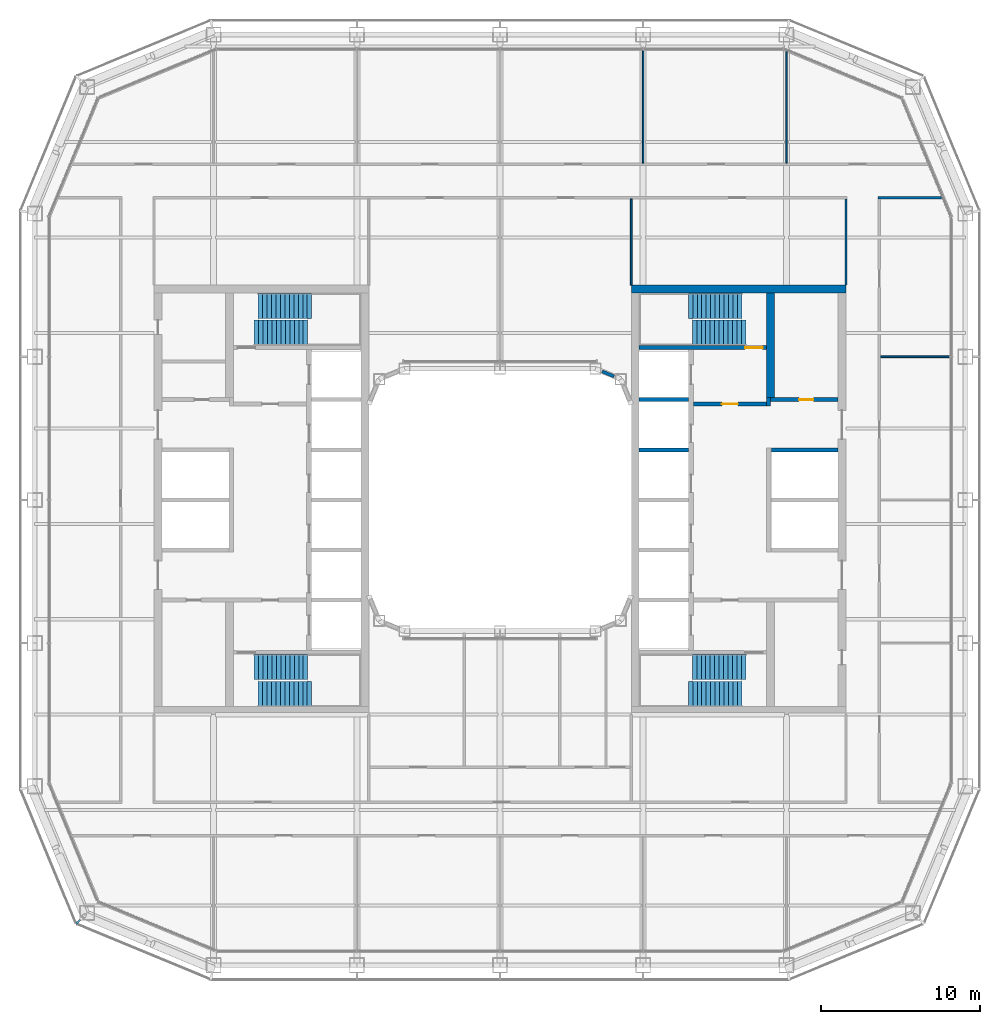
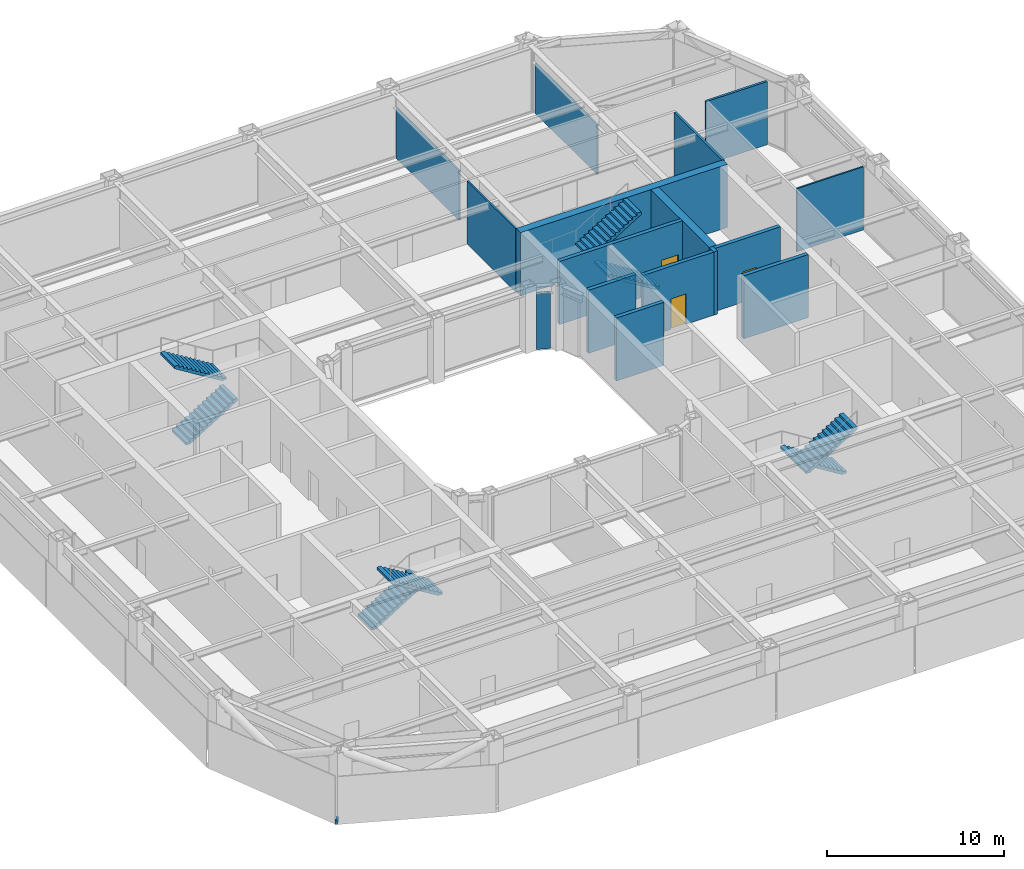
# One storey, part 14 of 21: 16 walls, 8 stair flights, 3 doors, 1 discrete accessory, 3 openings, 4 elements without a shape of their own.
"""IFC4 building model written with IfcOpenShell, lengths in metres."""

from ifc_helpers import new_model, si_unit, direction, frame, frame_2d, origin, origin_2d, place, context, subcontext, project, spatial, polyline, rectangle, outline, extrude, material, layer, layer_set, type_object, element, fill, aggregate, save


model = new_model("IFC4")

# Units and contexts
model_context = context("Model", 3, precision=1e-05, world=origin(), true_north=direction((0.0, 1.0)))
body_context = subcontext(model_context, "Body", "Model", "MODEL_VIEW")
ifc_project = project(units=[si_unit("LENGTHUNIT", "METRE"), si_unit("AREAUNIT", "SQUARE_METRE"), si_unit("VOLUMEUNIT", "CUBIC_METRE"), si_unit("PLANEANGLEUNIT", "RADIAN"), si_unit("MASSUNIT", "GRAM", prefix="KILO")], contexts=[model_context])

# Site, building, storey
site_placement = place(None, origin())
site = spatial("IfcSite", under=ifc_project, at=site_placement, CompositionType="ELEMENT")
building_placement = place(site_placement, origin())
building = spatial("IfcBuilding", under=site, at=building_placement, Name="Siwar Civic Tower", CompositionType="ELEMENT")
storey_placement = place(building_placement, frame((0.0, 0.0, 140.699951171875)))
storey = spatial("IfcBuildingStorey", under=building, at=storey_placement, Name="L30", CompositionType="ELEMENT", Elevation=140.699951171875)

# Wall, opening, door
ifc_material_1 = material(Name="Concrete C60/75", Category="concrete")
ifc_layer_1 = layer(ifc_material_1, 0.25)
ifc_layer_set_1 = layer_set([ifc_layer_1], Name="Concrete C60/75")
wall_type_1 = type_object("IfcWallType", Name="CORE-WALL-RC250", PredefinedType="SHEAR", material=ifc_layer_set_1)
wall_1_placement = place(storey_placement, frame((12.14990234375, 6.02490234375, 0.0), z_axis=(0.0, 0.0, 1.0), x_axis=(1.0, 0.0, 0.0)))
wall_1 = element("IfcWall", 1, at=wall_1_placement, inside=storey, type_object=wall_type_1, Name="Core wall E", PredefinedType="SHEAR", context=body_context, shape_type="SweptSolid", body=[
    extrude(rectangle(XDim=4.60009765625, YDim=0.25, at=frame_2d((2.300048828125, 0.0))), origin(), (0.0, 0.0, 1.0), 4.35009765625),
])
opening_1_placement = place(wall_1_placement, frame((1.800048828125, 0.0, 0.0)))
opening_1 = element("IfcOpeningElement", 2, at=opening_1_placement, cuts=wall_1, Name="Opening L30-CE01", PredefinedType="OPENING", context=body_context, shape_type="SweptSolid", body=[
    extrude(rectangle(XDim=1.0, YDim=2.10009765625, at=frame_2d((0.5, 1.050048828125))), frame((0.0, 0.135009765625, 0.0), z_axis=(0.0, -1.0, 0.0), x_axis=(1.0, 0.0, 0.0)), (0.0, 0.0, 1.0), 0.27001953125),
])
ifc_material_2 = material(Name="Steel door leaf", Category="steel")
door_type_1 = type_object("IfcDoorType", Name="CORE-DOOR-FD30S", OperationType="SINGLE_SWING_LEFT", PredefinedType="DOOR", material=ifc_material_2)
door_1_placement = place(opening_1_placement, origin())
door_1 = element("IfcDoor", 3, at=door_1_placement, inside=storey, type_object=door_type_1, Name="Firefighting lobby door L30-CE01", OperationType="SINGLE_SWING_RIGHT", OverallHeight=2.10009765625, OverallWidth=1.0, PredefinedType="DOOR", context=body_context, shape_type="SweptSolid", body=[
    extrude(rectangle(XDim=1.0, YDim=2.10009765625, at=frame_2d((0.5, 1.050048828125))), frame((0.0, 0.02490234375, 0.0), z_axis=(0.0, -1.0, 0.0), x_axis=(1.0, 0.0, 0.0)), (0.0, 0.0, 1.0), 0.050048828125),
])
fill(opening_1, door_1)

# Wall
wall_2_placement = place(storey_placement, frame((16.875, 5.89990234375, 0.0), z_axis=(0.0, 0.0, 1.0), x_axis=(0.0, 1.0, 0.0)))
element("IfcWall", 4, at=wall_2_placement, inside=storey, type_object=wall_type_1, Name="Core wall E", PredefinedType="SHEAR", context=body_context, shape_type="SweptSolid", body=[
    extrude(rectangle(XDim=0.525146484375, YDim=0.25, at=frame_2d((0.2626953125, 0.0))), origin(), (0.0, 0.0, 1.0), 4.35009765625),
])

# Wall, opening, door
wall_3_placement = place(storey_placement, frame((17.0, 6.300048828125, 0.0), z_axis=(0.0, 0.0, 1.0), x_axis=(1.0, 0.0, 0.0)))
wall_3 = element("IfcWall", 5, at=wall_3_placement, inside=storey, type_object=wall_type_1, Name="Core wall E", PredefinedType="SHEAR", context=body_context, shape_type="SweptSolid", body=[
    extrude(rectangle(XDim=4.25, YDim=0.25, at=frame_2d((2.125, 0.0))), origin(), (0.0, 0.0, 1.0), 4.35009765625),
])
opening_2_placement = place(wall_3_placement, frame((1.800048828125, 0.0, 0.0)))
opening_2 = element("IfcOpeningElement", 6, at=opening_2_placement, cuts=wall_3, Name="Opening L30-CE13", PredefinedType="OPENING", context=body_context, shape_type="SweptSolid", body=[
    extrude(rectangle(XDim=0.89990234375, YDim=2.10009765625, at=frame_2d((0.449951171875, 1.050048828125))), frame((0.0, 0.135009765625, 0.0), z_axis=(0.0, -1.0, 0.0), x_axis=(1.0, 0.0, 0.0)), (0.0, 0.0, 1.0), 0.27001953125),
])
ifc_material_3 = material(Name="Steel door leaf", Category="steel")
door_type_2 = type_object("IfcDoorType", Name="CORE-DOOR-ROOM", OperationType="SINGLE_SWING_LEFT", PredefinedType="DOOR", material=ifc_material_3)
door_2_placement = place(opening_2_placement, origin())
door_2 = element("IfcDoor", 7, at=door_2_placement, inside=storey, type_object=door_type_2, Name="Core room door L30-CE13", OperationType="SINGLE_SWING_RIGHT", OverallHeight=2.10009765625, OverallWidth=0.89990234375, PredefinedType="DOOR", context=body_context, shape_type="SweptSolid", body=[
    extrude(rectangle(XDim=0.89990234375, YDim=2.10009765625, at=frame_2d((0.449951171875, 1.050048828125))), frame((0.0, 0.02490234375, 0.0), z_axis=(0.0, -1.0, 0.0), x_axis=(1.0, 0.0, 0.0)), (0.0, 0.0, 1.0), 0.050048828125),
])
fill(opening_2, door_2)

# Walls
wall_4_placement = place(storey_placement, frame((17.050048828125, 3.14990234375, 0.0), z_axis=(0.0, 0.0, 1.0), x_axis=(1.0, 0.0, 0.0)))
element("IfcWall", 8, at=wall_4_placement, inside=storey, type_object=wall_type_1, Name="Core wall E", PredefinedType="SHEAR", context=body_context, shape_type="SweptSolid", body=[
    extrude(rectangle(XDim=4.199951171875, YDim=0.25, at=frame_2d((2.10009765625, 0.0))), origin(), (0.0, 0.0, 1.0), 4.35009765625),
])
for number, where, z_axis, x_axis, name in (
    (9, (8.75, 3.14990234375, 0.0), (0.0, 0.0, 1.0), (1.0, 0.0, 0.0), "Core wall E"),
    (10, (8.75, 6.300048828125, 0.0), (0.0, 0.0, 1.0), (1.0, 0.0, 0.0), "Core wall E"),
):
    element("IfcWall", number, at=place(storey_placement, frame(where, z_axis=z_axis, x_axis=x_axis)), inside=storey, type_object=wall_type_1, Name=name, PredefinedType="SHEAR", context=body_context, shape_type="SweptSolid", body=[
        extrude(rectangle(XDim=3.10009765625, YDim=0.25, at=frame_2d((1.550048828125, 0.0))), origin(), (0.0, 0.0, 1.0), 4.35009765625),
    ])

# Wall, opening, door
wall_5_placement = place(storey_placement, frame((8.75, 9.574951171875, 0.0), z_axis=(0.0, 0.0, 1.0), x_axis=(1.0, 0.0, 0.0)))
wall_5 = element("IfcWall", 11, at=wall_5_placement, inside=storey, type_object=wall_type_1, Name="Core wall E", PredefinedType="SHEAR", context=body_context, shape_type="SweptSolid", body=[
    extrude(rectangle(XDim=8.0, YDim=0.25, at=frame_2d((4.0, 0.0))), origin(), (0.0, 0.0, 1.0), 4.35009765625),
])
opening_3_placement = place(wall_5_placement, frame((6.64990234375, 0.0, 0.0)))
opening_3 = element("IfcOpeningElement", 12, at=opening_3_placement, cuts=wall_5, Name="Opening L30-CE03", PredefinedType="OPENING", context=body_context, shape_type="SweptSolid", body=[
    extrude(rectangle(XDim=1.10009765625, YDim=2.10009765625, at=frame_2d((0.550048828125, 1.050048828125))), frame((0.0, 0.135009765625, 0.0), z_axis=(0.0, -1.0, 0.0), x_axis=(1.0, 0.0, 0.0)), (0.0, 0.0, 1.0), 0.27001953125),
])
ifc_material_4 = material(Name="Steel door leaf", Category="steel")
door_type_3 = type_object("IfcDoorType", Name="CORE-DOOR-FD60S", OperationType="SINGLE_SWING_LEFT", PredefinedType="DOOR", material=ifc_material_4)
door_3_placement = place(opening_3_placement, origin())
door_3 = element("IfcDoor", 13, at=door_3_placement, inside=storey, type_object=door_type_3, Name="Stair door L30-CE03", OperationType="SINGLE_SWING_LEFT", OverallHeight=2.10009765625, OverallWidth=1.10009765625, PredefinedType="DOOR", context=body_context, shape_type="SweptSolid", body=[
    extrude(rectangle(XDim=1.10009765625, YDim=2.10009765625, at=frame_2d((0.550048828125, 1.050048828125))), frame((0.0, 0.02490234375, 0.0), z_axis=(0.0, -1.0, 0.0), x_axis=(1.0, 0.0, 0.0)), (0.0, 0.0, 1.0), 0.050048828125),
])
fill(opening_3, door_3)

# Walls
ifc_material_5 = material(Name="Concrete C60/75", Category="concrete")
ifc_layer_2 = layer(ifc_material_5, 0.5)
ifc_layer_set_2 = layer_set([ifc_layer_2], Name="Concrete C60/75")
wall_type_2 = type_object("IfcWallType", Name="CORE-WALL-RC500", PredefinedType="SHEAR", material=ifc_layer_set_2)
wall_6_placement = place(storey_placement, frame((17.0, 6.425048828125, 0.0), z_axis=(0.0, 0.0, 1.0), x_axis=(0.0, 1.0, 0.0)))
element("IfcWall", 14, at=wall_6_placement, inside=storey, type_object=wall_type_2, Name="Core wall E", PredefinedType="SHEAR", context=body_context, shape_type="SweptSolid", body=[
    extrude(rectangle(XDim=6.574951171875, YDim=0.5, at=frame_2d((3.28759765625, 0.0))), origin(), (0.0, 0.0, 1.0), 4.35009765625),
])
wall_7_placement = place(storey_placement, frame((8.25, 13.25, 0.0), z_axis=(0.0, 0.0, 1.0), x_axis=(1.0, 0.0, 0.0)))
element("IfcWall", 15, at=wall_7_placement, inside=storey, type_object=wall_type_2, Name="Core wall E", PredefinedType="SHEAR", context=body_context, shape_type="SweptSolid", body=[
    extrude(rectangle(XDim=13.5, YDim=0.5, at=frame_2d((6.75, 0.0))), origin(), (0.0, 0.0, 1.0), 4.35009765625),
])
ifc_material_6 = material(Name="Gypsum board on steel studs", Category="steel")
ifc_layer_3 = layer(ifc_material_6, 0.14990234375)
ifc_layer_set_3 = layer_set([ifc_layer_3], Name="Gypsum board on steel studs")
wall_type_3 = type_object("IfcWallType", Name="CORRIDOR PARTITION 150 EI 30", PredefinedType="PARTITIONING", material=ifc_layer_set_3)
wall_8_placement = place(storey_placement, frame((23.77490234375, 19.0, 0.0), z_axis=(0.0, 0.0, 1.0), x_axis=(1.0, 0.0, 0.0)))
element("IfcWall", 16, at=wall_8_placement, inside=storey, type_object=wall_type_3, Name="L30/wall/P12", PredefinedType="PARTITIONING", context=body_context, shape_type="SweptSolid", body=[
    extrude(rectangle(XDim=3.989013671875, YDim=0.14990234375, at=frame_2d((1.99462890625, 0.0))), origin(), (0.0, 0.0, 1.0), 4.35009765625),
])
wall_9_placement = place(storey_placement, frame((21.75, 13.5, 0.0), z_axis=(0.0, 0.0, 1.0), x_axis=(0.0, 1.0, 0.0)))
element("IfcWall", 17, at=wall_9_placement, inside=storey, type_object=wall_type_3, Name="L30/wall/P37", PredefinedType="PARTITIONING", context=body_context, shape_type="SweptSolid", body=[
    extrude(rectangle(XDim=5.425048828125, YDim=0.14990234375, at=frame_2d((2.71240234375, 0.0))), origin(), (0.0, 0.0, 1.0), 4.35009765625),
])
ifc_material_7 = material(Name="Aluminium clad insulated panel", Category="aluminium")
ifc_layer_4 = layer(ifc_material_7, 0.199951171875)
ifc_layer_set_4 = layer_set([ifc_layer_4], Name="Aluminium clad insulated panel")
wall_type_4 = type_object("IfcWallType", Name="ENV-WALL-WELL", PredefinedType="STANDARD", material=ifc_layer_set_4)
wall_10_placement = place(storey_placement, frame((7.16845703125, 7.765869140625, 0.0), z_axis=(0.0, 0.0, 1.0), x_axis=(-0.923817771127, 0.382832503518, 0.0)))
element("IfcWall", 18, at=wall_10_placement, inside=storey, type_object=wall_type_4, Name="Light well corner wall NE2", PredefinedType="STANDARD", context=body_context, shape_type="SweptSolid", body=[
    extrude(rectangle(XDim=0.807373046875, YDim=0.199951171875, at=frame_2d((0.40380859375, 0.0))), origin(), (0.0, 0.0, 1.0), 3.825927734375),
])
ifc_material_8 = material(Name="Gypsum board on steel studs", Category="steel")
ifc_layer_5 = layer(ifc_material_8, 0.10009765625)
ifc_layer_set_5 = layer_set([ifc_layer_5], Name="Gypsum board on steel studs")
wall_type_5 = type_object("IfcWallType", Name="PARTITION 100 GYPSUM", PredefinedType="PARTITIONING", material=ifc_layer_set_5)
wall_11_placement = place(storey_placement, frame((23.925048828125, 9.0, 0.0), z_axis=(0.0, 0.0, 1.0), x_axis=(1.0, 0.0, 0.0)))
element("IfcWall", 19, at=wall_11_placement, inside=storey, type_object=wall_type_5, Name="L30/wall/P09", PredefinedType="PARTITIONING", context=body_context, shape_type="SweptSolid", body=[
    extrude(rectangle(XDim=4.3349609375, YDim=0.10009765625, at=frame_2d((2.16748046875, 0.0))), origin(), (0.0, 0.0, 1.0), 4.35009765625),
])
wall_12_placement = place(storey_placement, frame((8.25, 13.5, 0.0), z_axis=(0.0, 0.0, 1.0), x_axis=(0.0, 1.0, 0.0)))
element("IfcWall", 20, at=wall_12_placement, inside=storey, type_object=wall_type_5, Name="L30/wall/P29", PredefinedType="PARTITIONING", context=body_context, shape_type="SweptSolid", body=[
    extrude(rectangle(XDim=5.425048828125, YDim=0.10009765625, at=frame_2d((2.71240234375, 0.0))), origin(), (0.0, 0.0, 1.0), 4.35009765625),
])
wall_13_placement = place(storey_placement, frame((9.0, 21.175048828125, 0.0), z_axis=(0.0, 0.0, 1.0), x_axis=(0.0, 1.0, 0.0)))
element("IfcWall", 21, at=wall_13_placement, inside=storey, type_object=wall_type_5, Name="L30/wall/P33", PredefinedType="PARTITIONING", context=body_context, shape_type="SweptSolid", body=[
    extrude(rectangle(XDim=7.0849609375, YDim=0.10009765625, at=frame_2d((3.54248046875, 0.0))), origin(), (0.0, 0.0, 1.0), 3.449951171875),
])
wall_14_placement = place(storey_placement, frame((18.0, 21.175048828125, 0.0), z_axis=(0.0, 0.0, 1.0), x_axis=(0.0, 1.0, 0.0)))
element("IfcWall", 22, at=wall_14_placement, inside=storey, type_object=wall_type_5, Name="L30/wall/P35", PredefinedType="PARTITIONING", context=body_context, shape_type="SweptSolid", body=[
    extrude(rectangle(XDim=7.0029296875, YDim=0.10009765625, at=frame_2d((3.50146484375, 0.0))), origin(), (0.0, 0.0, 1.0), 3.449951171875),
])

# Stair, stair flights
ifc_material_9 = material(Name="Concrete C40/50", Category="concrete")
stair_type = type_object("IfcStairType", Name="CORE-STAIR", PredefinedType="TWO_STRAIGHT_RUN_STAIR", material=ifc_material_9)
stair_1_placement = place(storey_placement, origin())
stair_1 = element("IfcStair", 23, at=stair_1_placement, inside=storey, type_object=stair_type, Name="Exit stair ST1", PredefinedType="TWO_STRAIGHT_RUN_STAIR")
ifc_material_10 = material(Name="Concrete C40/50", Category="concrete")
stair_flight_type = type_object("IfcStairFlightType", Name="CORE-STAIR-FLIGHT", PredefinedType="STRAIGHT", material=ifc_material_10)
stair_flight_1_placement = place(storey_placement, frame((-15.449951171875, 10.5, 0.0), z_axis=(0.0, 0.0, 1.0), x_axis=(1.0, 0.0, 0.0)))
stair_flight_1 = element("IfcStairFlight", 24, at=stair_flight_1_placement, type_object=stair_flight_type, Name="ST1 flight 1", NumberOfRisers=13, NumberOfTreads=12, PredefinedType="STRAIGHT", RiserHeight=0.173076923, TreadLength=0.28, context=body_context, shape_type="SweptSolid", body=[
    extrude(outline(polyline([(0.0, 0.0), (0.0, 0.173095703125), (0.280029296875, 0.173095703125), (0.280029296875, 0.34619140625), (0.56005859375, 0.34619140625), (0.56005859375, 0.519287109375), (0.840087890625, 0.519287109375), (0.840087890625, 0.6923828125), (1.1201171875, 0.6923828125), (1.1201171875, 0.865478515625), (1.39990234375, 0.865478515625), (1.39990234375, 1.03857421875), (1.679931640625, 1.03857421875), (1.679931640625, 1.21142578125), (1.9599609375, 1.21142578125), (1.9599609375, 1.384521484375), (2.239990234375, 1.384521484375), (2.239990234375, 1.5576171875), (2.52001953125, 1.5576171875), (2.52001953125, 1.730712890625), (2.800048828125, 1.730712890625), (2.800048828125, 1.90380859375), (3.080078125, 1.90380859375), (3.080078125, 2.076904296875), (3.360107421875, 2.076904296875), (3.360107421875, 2.25), (3.360107421875, 1.900634765625), (0.28515625, 0.0), (0.0, 0.0)])), frame((0.0, 0.800048828125, 0.0), z_axis=(0.0, -1.0, 0.0), x_axis=(1.0, 0.0, 0.0)), (0.0, 0.0, 1.0), 1.60009765625),
])
stair_flight_2_placement = place(storey_placement, frame((-11.840087890625, 12.199951171875, 2.25), z_axis=(0.0, 0.0, 1.0), x_axis=(-1.0, 0.0, 0.0)))
stair_flight_2 = element("IfcStairFlight", 25, at=stair_flight_2_placement, type_object=stair_flight_type, Name="ST1 flight 2", NumberOfRisers=13, NumberOfTreads=12, PredefinedType="STRAIGHT", RiserHeight=0.173076923, TreadLength=0.28, context=body_context, shape_type="SweptSolid", body=[
    extrude(outline(polyline([(0.0, 0.0), (0.0, 0.173095703125), (0.280029296875, 0.173095703125), (0.280029296875, 0.34619140625), (0.56005859375, 0.34619140625), (0.56005859375, 0.519287109375), (0.840087890625, 0.519287109375), (0.840087890625, 0.6923828125), (1.1201171875, 0.6923828125), (1.1201171875, 0.865478515625), (1.39990234375, 0.865478515625), (1.39990234375, 1.03857421875), (1.679931640625, 1.03857421875), (1.679931640625, 1.21142578125), (1.9599609375, 1.21142578125), (1.9599609375, 1.384521484375), (2.239990234375, 1.384521484375), (2.239990234375, 1.5576171875), (2.52001953125, 1.5576171875), (2.52001953125, 1.730712890625), (2.800048828125, 1.730712890625), (2.800048828125, 1.90380859375), (3.080078125, 1.90380859375), (3.080078125, 2.076904296875), (3.360107421875, 2.076904296875), (3.360107421875, 2.25), (3.360107421875, 1.900634765625), (0.28515625, 0.0), (0.0, 0.0)])), frame((0.0, 0.800048828125, 0.0), z_axis=(0.0, -1.0, 0.0), x_axis=(1.0, 0.0, 0.0)), (0.0, 0.0, 1.0), 1.60009765625),
])
aggregate(stair_1, [stair_flight_1, stair_flight_2])

stair_2_placement = place(storey_placement, origin())
stair_2 = element("IfcStair", 26, at=stair_2_placement, inside=storey, type_object=stair_type, Name="Exit stair ST2", PredefinedType="TWO_STRAIGHT_RUN_STAIR")
stair_flight_3_placement = place(storey_placement, frame((-15.449951171875, -10.5, 0.0), z_axis=(0.0, 0.0, 1.0), x_axis=(1.0, 0.0, 0.0)))
stair_flight_3 = element("IfcStairFlight", 27, at=stair_flight_3_placement, type_object=stair_flight_type, Name="ST2 flight 1", NumberOfRisers=13, NumberOfTreads=12, PredefinedType="STRAIGHT", RiserHeight=0.173076923, TreadLength=0.28, context=body_context, shape_type="SweptSolid", body=[
    extrude(outline(polyline([(0.0, 0.0), (0.0, 0.173095703125), (0.280029296875, 0.173095703125), (0.280029296875, 0.34619140625), (0.56005859375, 0.34619140625), (0.56005859375, 0.519287109375), (0.840087890625, 0.519287109375), (0.840087890625, 0.6923828125), (1.1201171875, 0.6923828125), (1.1201171875, 0.865478515625), (1.39990234375, 0.865478515625), (1.39990234375, 1.03857421875), (1.679931640625, 1.03857421875), (1.679931640625, 1.21142578125), (1.9599609375, 1.21142578125), (1.9599609375, 1.384521484375), (2.239990234375, 1.384521484375), (2.239990234375, 1.5576171875), (2.52001953125, 1.5576171875), (2.52001953125, 1.730712890625), (2.800048828125, 1.730712890625), (2.800048828125, 1.90380859375), (3.080078125, 1.90380859375), (3.080078125, 2.076904296875), (3.360107421875, 2.076904296875), (3.360107421875, 2.25), (3.360107421875, 1.900634765625), (0.28515625, 0.0), (0.0, 0.0)])), frame((0.0, 0.800048828125, 0.0), z_axis=(0.0, -1.0, 0.0), x_axis=(1.0, 0.0, 0.0)), (0.0, 0.0, 1.0), 1.60009765625),
])
stair_flight_4_placement = place(storey_placement, frame((-11.840087890625, -12.199951171875, 2.25), z_axis=(0.0, 0.0, 1.0), x_axis=(-1.0, 0.0, 0.0)))
stair_flight_4 = element("IfcStairFlight", 28, at=stair_flight_4_placement, type_object=stair_flight_type, Name="ST2 flight 2", NumberOfRisers=13, NumberOfTreads=12, PredefinedType="STRAIGHT", RiserHeight=0.173076923, TreadLength=0.28, context=body_context, shape_type="SweptSolid", body=[
    extrude(outline(polyline([(0.0, 0.0), (0.0, 0.173095703125), (0.280029296875, 0.173095703125), (0.280029296875, 0.34619140625), (0.56005859375, 0.34619140625), (0.56005859375, 0.519287109375), (0.840087890625, 0.519287109375), (0.840087890625, 0.6923828125), (1.1201171875, 0.6923828125), (1.1201171875, 0.865478515625), (1.39990234375, 0.865478515625), (1.39990234375, 1.03857421875), (1.679931640625, 1.03857421875), (1.679931640625, 1.21142578125), (1.9599609375, 1.21142578125), (1.9599609375, 1.384521484375), (2.239990234375, 1.384521484375), (2.239990234375, 1.5576171875), (2.52001953125, 1.5576171875), (2.52001953125, 1.730712890625), (2.800048828125, 1.730712890625), (2.800048828125, 1.90380859375), (3.080078125, 1.90380859375), (3.080078125, 2.076904296875), (3.360107421875, 2.076904296875), (3.360107421875, 2.25), (3.360107421875, 1.900634765625), (0.28515625, 0.0), (0.0, 0.0)])), frame((0.0, 0.800048828125, 0.0), z_axis=(0.0, -1.0, 0.0), x_axis=(1.0, 0.0, 0.0)), (0.0, 0.0, 1.0), 1.60009765625),
])
aggregate(stair_2, [stair_flight_3, stair_flight_4])

stair_3_placement = place(storey_placement, origin())
stair_3 = element("IfcStair", 29, at=stair_3_placement, inside=storey, type_object=stair_type, Name="Exit stair ST3", PredefinedType="TWO_STRAIGHT_RUN_STAIR")
stair_flight_5_placement = place(storey_placement, frame((15.449951171875, 10.5, 0.0), z_axis=(0.0, 0.0, 1.0), x_axis=(-1.0, 0.0, 0.0)))
stair_flight_5 = element("IfcStairFlight", 30, at=stair_flight_5_placement, type_object=stair_flight_type, Name="ST3 flight 1", NumberOfRisers=13, NumberOfTreads=12, PredefinedType="STRAIGHT", RiserHeight=0.173076923, TreadLength=0.28, context=body_context, shape_type="SweptSolid", body=[
    extrude(outline(polyline([(0.0, 0.0), (0.0, 0.173095703125), (0.280029296875, 0.173095703125), (0.280029296875, 0.34619140625), (0.56005859375, 0.34619140625), (0.56005859375, 0.519287109375), (0.840087890625, 0.519287109375), (0.840087890625, 0.6923828125), (1.1201171875, 0.6923828125), (1.1201171875, 0.865478515625), (1.39990234375, 0.865478515625), (1.39990234375, 1.03857421875), (1.679931640625, 1.03857421875), (1.679931640625, 1.21142578125), (1.9599609375, 1.21142578125), (1.9599609375, 1.384521484375), (2.239990234375, 1.384521484375), (2.239990234375, 1.5576171875), (2.52001953125, 1.5576171875), (2.52001953125, 1.730712890625), (2.800048828125, 1.730712890625), (2.800048828125, 1.90380859375), (3.080078125, 1.90380859375), (3.080078125, 2.076904296875), (3.360107421875, 2.076904296875), (3.360107421875, 2.25), (3.360107421875, 1.900634765625), (0.28515625, 0.0), (0.0, 0.0)])), frame((0.0, 0.800048828125, 0.0), z_axis=(0.0, -1.0, 0.0), x_axis=(1.0, 0.0, 0.0)), (0.0, 0.0, 1.0), 1.60009765625),
])
stair_flight_6_placement = place(storey_placement, frame((11.840087890625, 12.199951171875, 2.25), z_axis=(0.0, 0.0, 1.0), x_axis=(1.0, 0.0, 0.0)))
stair_flight_6 = element("IfcStairFlight", 31, at=stair_flight_6_placement, type_object=stair_flight_type, Name="ST3 flight 2", NumberOfRisers=13, NumberOfTreads=12, PredefinedType="STRAIGHT", RiserHeight=0.173076923, TreadLength=0.28, context=body_context, shape_type="SweptSolid", body=[
    extrude(outline(polyline([(0.0, 0.0), (0.0, 0.173095703125), (0.280029296875, 0.173095703125), (0.280029296875, 0.34619140625), (0.56005859375, 0.34619140625), (0.56005859375, 0.519287109375), (0.840087890625, 0.519287109375), (0.840087890625, 0.6923828125), (1.1201171875, 0.6923828125), (1.1201171875, 0.865478515625), (1.39990234375, 0.865478515625), (1.39990234375, 1.03857421875), (1.679931640625, 1.03857421875), (1.679931640625, 1.21142578125), (1.9599609375, 1.21142578125), (1.9599609375, 1.384521484375), (2.239990234375, 1.384521484375), (2.239990234375, 1.5576171875), (2.52001953125, 1.5576171875), (2.52001953125, 1.730712890625), (2.800048828125, 1.730712890625), (2.800048828125, 1.90380859375), (3.080078125, 1.90380859375), (3.080078125, 2.076904296875), (3.360107421875, 2.076904296875), (3.360107421875, 2.25), (3.360107421875, 1.900634765625), (0.28515625, 0.0), (0.0, 0.0)])), frame((0.0, 0.800048828125, 0.0), z_axis=(0.0, -1.0, 0.0), x_axis=(1.0, 0.0, 0.0)), (0.0, 0.0, 1.0), 1.60009765625),
])
aggregate(stair_3, [stair_flight_5, stair_flight_6])

stair_4_placement = place(storey_placement, origin())
stair_4 = element("IfcStair", 32, at=stair_4_placement, inside=storey, type_object=stair_type, Name="Exit stair ST4", PredefinedType="TWO_STRAIGHT_RUN_STAIR")
stair_flight_7_placement = place(storey_placement, frame((15.449951171875, -10.5, 0.0), z_axis=(0.0, 0.0, 1.0), x_axis=(-1.0, 0.0, 0.0)))
stair_flight_7 = element("IfcStairFlight", 33, at=stair_flight_7_placement, type_object=stair_flight_type, Name="ST4 flight 1", NumberOfRisers=13, NumberOfTreads=12, PredefinedType="STRAIGHT", RiserHeight=0.173076923, TreadLength=0.28, context=body_context, shape_type="SweptSolid", body=[
    extrude(outline(polyline([(0.0, 0.0), (0.0, 0.173095703125), (0.280029296875, 0.173095703125), (0.280029296875, 0.34619140625), (0.56005859375, 0.34619140625), (0.56005859375, 0.519287109375), (0.840087890625, 0.519287109375), (0.840087890625, 0.6923828125), (1.1201171875, 0.6923828125), (1.1201171875, 0.865478515625), (1.39990234375, 0.865478515625), (1.39990234375, 1.03857421875), (1.679931640625, 1.03857421875), (1.679931640625, 1.21142578125), (1.9599609375, 1.21142578125), (1.9599609375, 1.384521484375), (2.239990234375, 1.384521484375), (2.239990234375, 1.5576171875), (2.52001953125, 1.5576171875), (2.52001953125, 1.730712890625), (2.800048828125, 1.730712890625), (2.800048828125, 1.90380859375), (3.080078125, 1.90380859375), (3.080078125, 2.076904296875), (3.360107421875, 2.076904296875), (3.360107421875, 2.25), (3.360107421875, 1.900634765625), (0.28515625, 0.0), (0.0, 0.0)])), frame((0.0, 0.800048828125, 0.0), z_axis=(0.0, -1.0, 0.0), x_axis=(1.0, 0.0, 0.0)), (0.0, 0.0, 1.0), 1.60009765625),
])
stair_flight_8_placement = place(storey_placement, frame((11.840087890625, -12.199951171875, 2.25), z_axis=(0.0, 0.0, 1.0), x_axis=(1.0, 0.0, 0.0)))
stair_flight_8 = element("IfcStairFlight", 34, at=stair_flight_8_placement, type_object=stair_flight_type, Name="ST4 flight 2", NumberOfRisers=13, NumberOfTreads=12, PredefinedType="STRAIGHT", RiserHeight=0.173076923, TreadLength=0.28, context=body_context, shape_type="SweptSolid", body=[
    extrude(outline(polyline([(0.0, 0.0), (0.0, 0.173095703125), (0.280029296875, 0.173095703125), (0.280029296875, 0.34619140625), (0.56005859375, 0.34619140625), (0.56005859375, 0.519287109375), (0.840087890625, 0.519287109375), (0.840087890625, 0.6923828125), (1.1201171875, 0.6923828125), (1.1201171875, 0.865478515625), (1.39990234375, 0.865478515625), (1.39990234375, 1.03857421875), (1.679931640625, 1.03857421875), (1.679931640625, 1.21142578125), (1.9599609375, 1.21142578125), (1.9599609375, 1.384521484375), (2.239990234375, 1.384521484375), (2.239990234375, 1.5576171875), (2.52001953125, 1.5576171875), (2.52001953125, 1.730712890625), (2.800048828125, 1.730712890625), (2.800048828125, 1.90380859375), (3.080078125, 1.90380859375), (3.080078125, 2.076904296875), (3.360107421875, 2.076904296875), (3.360107421875, 2.25), (3.360107421875, 1.900634765625), (0.28515625, 0.0), (0.0, 0.0)])), frame((0.0, 0.800048828125, 0.0), z_axis=(0.0, -1.0, 0.0), x_axis=(1.0, 0.0, 0.0)), (0.0, 0.0, 1.0), 1.60009765625),
])
aggregate(stair_4, [stair_flight_7, stair_flight_8])

# Discrete accessory
ifc_material_11 = material(Name="Stainless steel 316", Category="steel")
discrete_accessory_type = type_object("IfcDiscreteAccessoryType", Name="ENV-BRACKET", PredefinedType="BRACKET", material=ifc_material_11)
discrete_accessory_placement = place(storey_placement, frame((-26.517333984375, -26.517333984375, -0.14990234375), z_axis=(0.0, 0.0, 1.0), x_axis=(-0.707106781187, -0.707106781187, 0.0)))
element("IfcDiscreteAccessory", 35, at=discrete_accessory_placement, inside=storey, type_object=discrete_accessory_type, Name="Bracket outer skin joint V11", PredefinedType="BRACKET", context=body_context, shape_type="SweptSolid", body=[
    extrude(rectangle(XDim=0.357666015625, YDim=0.12939453125, at=origin_2d()), origin(), (0.0, 0.0, 1.0), 0.300048828125),
])

save(model, "model.ifc")
